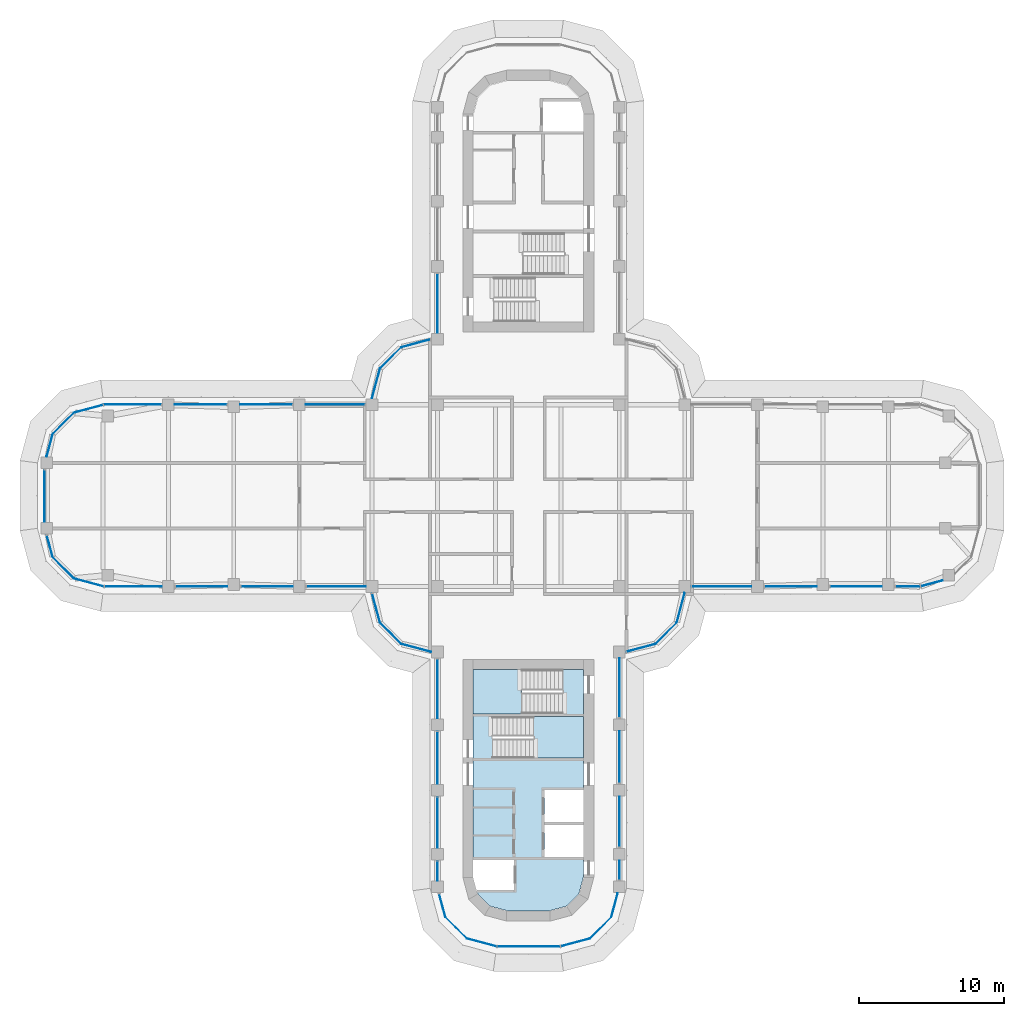
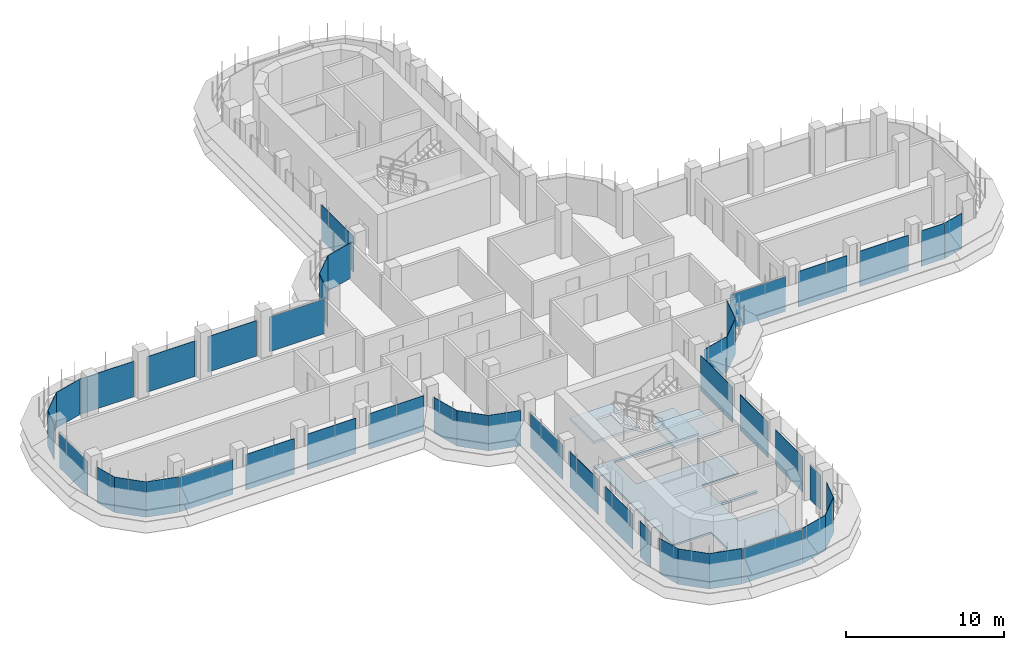
# One storey, part 11 of 19: 45 plates, 3 slabs, 32 elements without a shape of their own.
"""IFC4 building model written with IfcOpenShell, lengths in metres."""

from ifc_helpers import new_model, si_unit, direction, frame, origin, place, context, subcontext, project, spatial, polyline, outline, extrude, source, transform, mapped, material, layer, layer_set, type_object, element, aggregate, save


model = new_model("IFC4")

# Units and contexts
model_context = context("Model", 3, precision=1e-05, world=origin(), true_north=direction((0.0, 1.0)))
body_context = subcontext(model_context, "Body", "Model", "MODEL_VIEW")
ifc_project = project(units=[si_unit("LENGTHUNIT", "METRE"), si_unit("AREAUNIT", "SQUARE_METRE"), si_unit("VOLUMEUNIT", "CUBIC_METRE"), si_unit("PLANEANGLEUNIT", "RADIAN"), si_unit("MASSUNIT", "GRAM", prefix="KILO")], contexts=[model_context])

# Site, building, storey
site_placement = place(None, origin())
site = spatial("IfcSite", under=ifc_project, at=site_placement, CompositionType="ELEMENT")
building_placement = place(site_placement, origin())
building = spatial("IfcBuilding", under=site, at=building_placement, Name="Zarbagh Exchange Tower", CompositionType="ELEMENT")
storey_placement = place(building_placement, frame((0.0, 0.0, 175.199951171875)))
storey = spatial("IfcBuildingStorey", under=building, at=storey_placement, Name="L42", CompositionType="ELEMENT", Elevation=175.199951171875)

# Slab
ifc_material_1 = material(Name="Concrete C40/50", Category="concrete")
ifc_layer_1 = layer(ifc_material_1, 0.14990234375)
ifc_layer_set_1 = layer_set([ifc_layer_1], Name="Core floor slab 150 C40/50")
slab_type_1 = type_object("IfcSlabType", Name="Core floor slab 150 C40/50", PredefinedType="FLOOR", material=ifc_layer_set_1)
slab_1_placement = place(storey_placement, frame((0.0, 0.0, -0.14990234375)))
element("IfcSlab", 1, at=slab_1_placement, inside=storey, type_object=slab_type_1, Name="S17 core S", PredefinedType="FLOOR", context=body_context, shape_type="SweptSolid", body=[
    extrude(outline(polyline([(-2.6376953125, -28.220458984375), (-3.470458984375, -27.3876953125), (-3.800048828125, -26.15771484375), (-3.800048828125, -26.15771484375), (-3.547607421875, -27.10009765625), (-1.0, -27.10009765625), (-1.0, -25.050048828125), (-3.800048828125, -25.050048828125), (-3.800048828125, -15.0), (2.35009765625, -15.0), (2.35009765625, -11.949951171875), (3.800048828125, -11.949951171875), (3.800048828125, -15.199951171875), (-2.449951171875, -15.199951171875), (-2.449951171875, -18.050048828125), (3.800048828125, -18.050048828125), (3.800048828125, -20.25), (1.10009765625, -20.25), (1.10009765625, -22.449951171875), (3.800048828125, -22.449951171875), (3.800048828125, -22.64990234375), (1.10009765625, -22.64990234375), (1.10009765625, -24.85009765625), (3.800048828125, -24.85009765625), (3.800048828125, -26.15771484375), (3.470458984375, -27.3876953125), (2.6376953125, -28.220458984375), (1.40771484375, -28.550048828125), (-1.40771484375, -28.550048828125), (-2.6376953125, -28.220458984375)])), origin(), (0.0, 0.0, 1.0), 0.14990234375),
])

# Stair, slab
stair_type = type_object("IfcStairType", Name="Exit stair two-flight half-turn", PredefinedType="HALF_TURN_STAIR", material=ifc_material_1)
stair_1_placement = place(storey_placement, origin())
stair_1 = element("IfcStair", 2, at=stair_1_placement, inside=storey, type_object=stair_type, Name="exit stair ST3", PredefinedType="HALF_TURN_STAIR")
ifc_layer_2 = layer(ifc_material_1, 0.199951171875)
ifc_layer_set_2 = layer_set([ifc_layer_2], Name="Stair landing 200 mm")
slab_type_2 = type_object("IfcSlabType", Name="Stair landing 200 mm", PredefinedType="LANDING", material=ifc_layer_set_2)
slab_2_placement = place(storey_placement, frame((0.0, 0.0, 1.699951171875)))
slab_2 = element("IfcSlab", 3, at=slab_2_placement, type_object=slab_type_2, Name="ST3 landing 1", PredefinedType="LANDING", context=body_context, shape_type="SweptSolid", body=[
    extrude(outline(polyline([(0.35009765625, -18.050048828125), (3.800048828125, -18.050048828125), (3.800048828125, -15.199951171875), (0.35009765625, -15.199951171875), (0.35009765625, -18.050048828125)])), origin(), (0.0, 0.0, 1.0), 0.2001953125),
])
aggregate(stair_1, [slab_2])

stair_2_placement = place(storey_placement, origin())
stair_2 = element("IfcStair", 4, at=stair_2_placement, inside=storey, type_object=stair_type, Name="exit stair ST4", PredefinedType="HALF_TURN_STAIR")
slab_3_placement = place(storey_placement, frame((0.0, 0.0, 1.699951171875)))
slab_3 = element("IfcSlab", 5, at=slab_3_placement, type_object=slab_type_2, Name="ST4 landing 1", PredefinedType="LANDING", context=body_context, shape_type="SweptSolid", body=[
    extrude(outline(polyline([(-0.449951171875, -11.949951171875), (-3.800048828125, -11.949951171875), (-3.800048828125, -15.0), (-0.449951171875, -15.0), (-0.449951171875, -11.949951171875)])), origin(), (0.0, 0.0, 1.0), 0.2001953125),
])
aggregate(stair_2, [slab_3])

# Curtain wall, plate
ifc_material_2 = material(Name="Anodised aluminium frame and glazing", Category="aluminium")
curtain_wall_type = type_object("IfcCurtainWallType", Name="CWB Ribbon glazing, upper zones", PredefinedType="NOTDEFINED", material=ifc_material_2)
curtain_wall_1_placement = place(storey_placement, origin())
curtain_wall_1 = element("IfcCurtainWall", 6, at=curtain_wall_1_placement, inside=storey, type_object=curtain_wall_type, Name="CWB37 curtain wall", PredefinedType="NOTDEFINED")
ifc_material_3 = material(Name="Low-e double glazed unit, 6+12+6 mm")
ifc_layer_3 = layer(ifc_material_3, 0.031982421875)
ifc_layer_set_3 = layer_set([ifc_layer_3], Name="PAB Glazing panel, Low-e double glazed unit, 6+12+6 mm")
plate_type = type_object("IfcPlateType", Name="PAB Glazing panel, Low-e double glazed unit, 6+12+6 mm", PredefinedType="CURTAIN_PANEL", material=ifc_layer_set_3)
shared_shape_1 = source(origin(), body_context, "Body", "SweptSolid", [
    extrude(outline(polyline([(0.0, -0.01611328125), (1.5458984375, -0.01611328125), (1.5458984375, 0.01611328125), (0.0, 0.01611328125), (0.0, -0.01611328125)])), origin(), (0.0, 0.0, 1.0), 2.75),
])
placement = place(storey_placement, origin())
plate_1 = element("IfcPlate", 7, at=placement, type_object=plate_type, Name="CWB37 glazing panel 1.1", PredefinedType="CURTAIN_PANEL", context=body_context, shape_type="MappedRepresentation", body=[
    mapped(shared_shape_1, transform((-33.098876953125, -2.748046875, 0.0), x_axis=(0.258824779902, -0.965924289636, 0.0), y_axis=(0.965924289636, 0.258824779902, 0.0), z_axis=(0.0, 0.0, 1.0))),
])
aggregate(curtain_wall_1, [plate_1])

curtain_wall_2_placement = place(storey_placement, origin())
curtain_wall_2 = element("IfcCurtainWall", 8, at=curtain_wall_2_placement, inside=storey, type_object=curtain_wall_type, Name="CWB50 curtain wall", PredefinedType="NOTDEFINED")
shared_shape_2 = source(origin(), body_context, "Body", "SweptSolid", [
    extrude(outline(polyline([(0.0, -0.01611328125), (2.061279296875, -0.01611328125), (2.061279296875, 0.01611328125), (0.0, 0.01611328125), (0.0, -0.01611328125)])), origin(), (0.0, 0.0, 1.0), 2.75),
])
plate_2 = element("IfcPlate", 9, at=placement, type_object=plate_type, Name="CWB50 glazing panel 1.1", PredefinedType="CURTAIN_PANEL", context=body_context, shape_type="MappedRepresentation", body=[
    mapped(shared_shape_2, transform((4.2412109375, -30.44873046875, 0.0), x_axis=(0.707106781187, 0.707106781187, 0.0), y_axis=(-0.707106781187, 0.707106781187, 0.0), z_axis=(0.0, 0.0, 1.0))),
])
aggregate(curtain_wall_2, [plate_2])

curtain_wall_3_placement = place(storey_placement, origin())
curtain_wall_3 = element("IfcCurtainWall", 10, at=curtain_wall_3_placement, inside=storey, type_object=curtain_wall_type, Name="CWB06 curtain wall", PredefinedType="NOTDEFINED")
plate_3 = element("IfcPlate", 11, at=placement, type_object=plate_type, Name="CWB06 glazing panel 1.1", PredefinedType="CURTAIN_PANEL", context=body_context, shape_type="MappedRepresentation", body=[
    mapped(shared_shape_2, transform((8.7412109375, -10.19873046875, 0.0), x_axis=(0.707106781187, 0.707106781187, 0.0), y_axis=(-0.707106781187, 0.707106781187, 0.0), z_axis=(0.0, 0.0, 1.0))),
])
aggregate(curtain_wall_3, [plate_3])

curtain_wall_4_placement = place(storey_placement, origin())
curtain_wall_4 = element("IfcCurtainWall", 12, at=curtain_wall_4_placement, inside=storey, type_object=curtain_wall_type, Name="CWB30 curtain wall", PredefinedType="NOTDEFINED")
plate_4 = element("IfcPlate", 13, at=placement, type_object=plate_type, Name="CWB30 glazing panel 1.1", PredefinedType="CURTAIN_PANEL", context=body_context, shape_type="MappedRepresentation", body=[
    mapped(shared_shape_2, transform((-8.7412109375, 10.19873046875, 0.0), x_axis=(-0.707106781187, -0.707106781187, 0.0), y_axis=(0.707106781187, -0.707106781187, 0.0), z_axis=(0.0, 0.0, 1.0))),
])
aggregate(curtain_wall_4, [plate_4])

curtain_wall_5_placement = place(storey_placement, origin())
curtain_wall_5 = element("IfcCurtainWall", 14, at=curtain_wall_5_placement, inside=storey, type_object=curtain_wall_type, Name="CWB34 curtain wall", PredefinedType="NOTDEFINED")
plate_5 = element("IfcPlate", 15, at=placement, type_object=plate_type, Name="CWB34 glazing panel 1.1", PredefinedType="CURTAIN_PANEL", context=body_context, shape_type="MappedRepresentation", body=[
    mapped(shared_shape_2, transform((-31.2412109375, 5.69873046875, 0.0), x_axis=(-0.707106781187, -0.707106781187, 0.0), y_axis=(0.707106781187, -0.707106781187, 0.0), z_axis=(0.0, 0.0, 1.0))),
])
aggregate(curtain_wall_5, [plate_5])

curtain_wall_6_placement = place(storey_placement, origin())
curtain_wall_6 = element("IfcCurtainWall", 16, at=curtain_wall_6_placement, inside=storey, type_object=curtain_wall_type, Name="CWB38 curtain wall", PredefinedType="NOTDEFINED")
plate_6 = element("IfcPlate", 17, at=placement, type_object=plate_type, Name="CWB38 glazing panel 1.1", PredefinedType="CURTAIN_PANEL", context=body_context, shape_type="MappedRepresentation", body=[
    mapped(shared_shape_2, transform((-32.69873046875, -4.2412109375, 0.0), x_axis=(0.707106781187, -0.707106781187, 0.0), y_axis=(0.707106781187, 0.707106781187, 0.0), z_axis=(0.0, 0.0, 1.0))),
])
aggregate(curtain_wall_6, [plate_6])

curtain_wall_7_placement = place(storey_placement, origin())
curtain_wall_7 = element("IfcCurtainWall", 18, at=curtain_wall_7_placement, inside=storey, type_object=curtain_wall_type, Name="CWB42 curtain wall", PredefinedType="NOTDEFINED")
plate_7 = element("IfcPlate", 19, at=placement, type_object=plate_type, Name="CWB42 glazing panel 1.1", PredefinedType="CURTAIN_PANEL", context=body_context, shape_type="MappedRepresentation", body=[
    mapped(shared_shape_2, transform((-10.19873046875, -8.7412109375, 0.0), x_axis=(0.707106781187, -0.707106781187, 0.0), y_axis=(0.707106781187, 0.707106781187, 0.0), z_axis=(0.0, 0.0, 1.0))),
])
aggregate(curtain_wall_7, [plate_7])

curtain_wall_8_placement = place(storey_placement, origin())
curtain_wall_8 = element("IfcCurtainWall", 20, at=curtain_wall_8_placement, inside=storey, type_object=curtain_wall_type, Name="CWB55 curtain wall", PredefinedType="NOTDEFINED")
plate_8 = element("IfcPlate", 21, at=placement, type_object=plate_type, Name="CWB55 glazing panel 1.1", PredefinedType="CURTAIN_PANEL", context=body_context, shape_type="MappedRepresentation", body=[
    mapped(shared_shape_2, transform((-5.69873046875, -28.9912109375, 0.0), x_axis=(0.707106781187, -0.707106781187, 0.0), y_axis=(0.707106781187, 0.707106781187, 0.0), z_axis=(0.0, 0.0, 1.0))),
])
aggregate(curtain_wall_8, [plate_8])

curtain_wall_9_placement = place(storey_placement, origin())
curtain_wall_9 = element("IfcCurtainWall", 22, at=curtain_wall_9_placement, inside=storey, type_object=curtain_wall_type, Name="CWB39 curtain wall", PredefinedType="NOTDEFINED")
shared_shape_3 = source(origin(), body_context, "Body", "SweptSolid", [
    extrude(outline(polyline([(0.0, -0.01611328125), (2.129638671875, -0.01611328125), (2.129638671875, 0.01611328125), (0.0, 0.01611328125), (0.0, -0.01611328125)])), origin(), (0.0, 0.0, 1.0), 2.75),
])
plate_9 = element("IfcPlate", 23, at=placement, type_object=plate_type, Name="CWB39 glazing panel 1.1", PredefinedType="CURTAIN_PANEL", context=body_context, shape_type="MappedRepresentation", body=[
    mapped(shared_shape_3, transform((-31.2412109375, -5.69873046875, 0.0), x_axis=(0.965924289636, -0.258824779902, 0.0), y_axis=(0.258824779902, 0.965924289636, 0.0), z_axis=(0.0, 0.0, 1.0))),
])
aggregate(curtain_wall_9, [plate_9])

curtain_wall_10_placement = place(storey_placement, origin())
curtain_wall_10 = element("IfcCurtainWall", 24, at=curtain_wall_10_placement, inside=storey, type_object=curtain_wall_type, Name="CWB56 curtain wall", PredefinedType="NOTDEFINED")
plate_10 = element("IfcPlate", 25, at=placement, type_object=plate_type, Name="CWB56 glazing panel 1.1", PredefinedType="CURTAIN_PANEL", context=body_context, shape_type="MappedRepresentation", body=[
    mapped(shared_shape_3, transform((-4.2412109375, -30.44873046875, 0.0), x_axis=(0.965924289636, -0.258824779902, 0.0), y_axis=(0.258824779902, 0.965924289636, 0.0), z_axis=(0.0, 0.0, 1.0))),
])
aggregate(curtain_wall_10, [plate_10])

curtain_wall_11_placement = place(storey_placement, origin())
curtain_wall_11 = element("IfcCurtainWall", 26, at=curtain_wall_11_placement, inside=storey, type_object=curtain_wall_type, Name="CWB53 curtain wall", PredefinedType="NOTDEFINED")
shared_shape_4 = source(origin(), body_context, "Body", "SweptSolid", [
    extrude(outline(polyline([(0.0, -0.01611328125), (1.31005859375, -0.01611328125), (1.31005859375, 0.01611328125), (0.0, 0.01611328125), (0.0, -0.01611328125)])), origin(), (0.0, 0.0, 1.0), 2.75),
])
plate_11 = element("IfcPlate", 27, at=placement, type_object=plate_type, Name="CWB53 glazing panel 4.1", PredefinedType="CURTAIN_PANEL", context=body_context, shape_type="MappedRepresentation", body=[
    mapped(shared_shape_4, transform((-6.25, -25.150146484375, 0.0), x_axis=(0.0, -1.0, 0.0), y_axis=(1.0, 0.0, 0.0), z_axis=(0.0, 0.0, 1.0))),
])

curtain_wall_12_placement = place(storey_placement, origin())
curtain_wall_12 = element("IfcCurtainWall", 28, at=curtain_wall_12_placement, inside=storey, type_object=curtain_wall_type, Name="CWB52 curtain wall", PredefinedType="NOTDEFINED")
shared_shape_5 = source(origin(), body_context, "Body", "SweptSolid", [
    extrude(outline(polyline([(0.0, -0.01611328125), (3.4599609375, -0.01611328125), (3.4599609375, 0.01611328125), (0.0, 0.01611328125), (0.0, -0.01611328125)])), origin(), (0.0, 0.0, 1.0), 2.75),
])
plate_12 = element("IfcPlate", 29, at=placement, type_object=plate_type, Name="CWB52 glazing panel 2.1", PredefinedType="CURTAIN_PANEL", context=body_context, shape_type="MappedRepresentation", body=[
    mapped(shared_shape_5, transform((6.25, -24.14990234375, 0.0), x_axis=(0.0, 1.0, 0.0), y_axis=(-1.0, 0.0, 0.0), z_axis=(0.0, 0.0, 1.0))),
])

# Plate
plate_13 = element("IfcPlate", 30, at=placement, type_object=plate_type, Name="CWB53 glazing panel 3.1", PredefinedType="CURTAIN_PANEL", context=body_context, shape_type="MappedRepresentation", body=[
    mapped(shared_shape_5, transform((-6.25, -20.75, 0.0), x_axis=(0.0, -1.0, 0.0), y_axis=(1.0, 0.0, 0.0), z_axis=(0.0, 0.0, 1.0))),
])

shared_shape_6 = source(origin(), body_context, "Body", "SweptSolid", [
    extrude(outline(polyline([(0.0, -0.01611328125), (3.56005859375, -0.01611328125), (3.56005859375, 0.01611328125), (0.0, 0.01611328125), (0.0, -0.01611328125)])), origin(), (0.0, 0.0, 1.0), 2.75),
])
plate_14 = element("IfcPlate", 31, at=placement, type_object=plate_type, Name="CWB52 glazing panel 3.1", PredefinedType="CURTAIN_PANEL", context=body_context, shape_type="MappedRepresentation", body=[
    mapped(shared_shape_6, transform((6.25, -19.75, 0.0), x_axis=(0.0, 1.0, 0.0), y_axis=(-1.0, 0.0, 0.0), z_axis=(0.0, 0.0, 1.0))),
])

# Curtain wall, plates
curtain_wall_13_placement = place(storey_placement, origin())
curtain_wall_13 = element("IfcCurtainWall", 32, at=curtain_wall_13_placement, inside=storey, type_object=curtain_wall_type, Name="CWB08 curtain wall", PredefinedType="NOTDEFINED")
plate_15 = element("IfcPlate", 33, at=placement, type_object=plate_type, Name="CWB08 glazing panel 2.1", PredefinedType="CURTAIN_PANEL", context=body_context, shape_type="MappedRepresentation", body=[
    mapped(shared_shape_6, transform((16.25, -6.25, 0.0), x_axis=(1.0, 0.0, 0.0), y_axis=(0.0, 1.0, 0.0), z_axis=(0.0, 0.0, 1.0))),
])
plate_16 = element("IfcPlate", 34, at=placement, type_object=plate_type, Name="CWB08 glazing panel 3.1", PredefinedType="CURTAIN_PANEL", context=body_context, shape_type="MappedRepresentation", body=[
    mapped(shared_shape_6, transform((20.75, -6.25, 0.0), x_axis=(1.0, 0.0, 0.0), y_axis=(0.0, 1.0, 0.0), z_axis=(0.0, 0.0, 1.0))),
])

curtain_wall_14_placement = place(storey_placement, origin())
curtain_wall_14 = element("IfcCurtainWall", 35, at=curtain_wall_14_placement, inside=storey, type_object=curtain_wall_type, Name="CWB32 curtain wall", PredefinedType="NOTDEFINED")
plate_17 = element("IfcPlate", 36, at=placement, type_object=plate_type, Name="CWB32 glazing panel 2.1", PredefinedType="CURTAIN_PANEL", context=body_context, shape_type="MappedRepresentation", body=[
    mapped(shared_shape_6, transform((-16.25, 6.25, 0.0), x_axis=(-1.0, 0.0, 0.0), y_axis=(0.0, -1.0, 0.0), z_axis=(0.0, 0.0, 1.0))),
])
plate_18 = element("IfcPlate", 37, at=placement, type_object=plate_type, Name="CWB32 glazing panel 3.1", PredefinedType="CURTAIN_PANEL", context=body_context, shape_type="MappedRepresentation", body=[
    mapped(shared_shape_6, transform((-20.75, 6.25, 0.0), x_axis=(-1.0, 0.0, 0.0), y_axis=(0.0, -1.0, 0.0), z_axis=(0.0, 0.0, 1.0))),
])

curtain_wall_15_placement = place(storey_placement, origin())
curtain_wall_15 = element("IfcCurtainWall", 38, at=curtain_wall_15_placement, inside=storey, type_object=curtain_wall_type, Name="CWB40 curtain wall", PredefinedType="NOTDEFINED")
plate_19 = element("IfcPlate", 39, at=placement, type_object=plate_type, Name="CWB40 glazing panel 2.1", PredefinedType="CURTAIN_PANEL", context=body_context, shape_type="MappedRepresentation", body=[
    mapped(shared_shape_6, transform((-24.25, -6.25, 0.0), x_axis=(1.0, 0.0, 0.0), y_axis=(0.0, 1.0, 0.0), z_axis=(0.0, 0.0, 1.0))),
])
plate_20 = element("IfcPlate", 40, at=placement, type_object=plate_type, Name="CWB40 glazing panel 3.1", PredefinedType="CURTAIN_PANEL", context=body_context, shape_type="MappedRepresentation", body=[
    mapped(shared_shape_6, transform((-19.75, -6.25, 0.0), x_axis=(1.0, 0.0, 0.0), y_axis=(0.0, 1.0, 0.0), z_axis=(0.0, 0.0, 1.0))),
])

# Plate
plate_21 = element("IfcPlate", 41, at=placement, type_object=plate_type, Name="CWB53 glazing panel 2.1", PredefinedType="CURTAIN_PANEL", context=body_context, shape_type="MappedRepresentation", body=[
    mapped(shared_shape_6, transform((-6.25, -16.25, 0.0), x_axis=(0.0, -1.0, 0.0), y_axis=(1.0, 0.0, 0.0), z_axis=(0.0, 0.0, 1.0))),
])

shared_shape_7 = source(origin(), body_context, "Body", "SweptSolid", [
    extrude(outline(polyline([(0.0, -0.01611328125), (4.06005859375, -0.01611328125), (4.06005859375, 0.01611328125), (0.0, 0.01611328125), (0.0, -0.01611328125)])), origin(), (0.0, 0.0, 1.0), 2.75),
])
plate_22 = element("IfcPlate", 42, at=placement, type_object=plate_type, Name="CWB52 glazing panel 4.1", PredefinedType="CURTAIN_PANEL", context=body_context, shape_type="MappedRepresentation", body=[
    mapped(shared_shape_7, transform((6.25, -15.25, 0.0), x_axis=(0.0, 1.0, 0.0), y_axis=(-1.0, 0.0, 0.0), z_axis=(0.0, 0.0, 1.0))),
])

# Curtain wall, plate
curtain_wall_16_placement = place(storey_placement, origin())
curtain_wall_16 = element("IfcCurtainWall", 43, at=curtain_wall_16_placement, inside=storey, type_object=curtain_wall_type, Name="CWB28 curtain wall", PredefinedType="NOTDEFINED")
plate_23 = element("IfcPlate", 44, at=placement, type_object=plate_type, Name="CWB28 glazing panel 4.1", PredefinedType="CURTAIN_PANEL", context=body_context, shape_type="MappedRepresentation", body=[
    mapped(shared_shape_7, transform((-6.25, 15.25, 0.0), x_axis=(0.0, -1.0, 0.0), y_axis=(1.0, 0.0, 0.0), z_axis=(0.0, 0.0, 1.0))),
])
aggregate(curtain_wall_16, [plate_23])

# Plate
plate_24 = element("IfcPlate", 45, at=placement, type_object=plate_type, Name="CWB40 glazing panel 4.1", PredefinedType="CURTAIN_PANEL", context=body_context, shape_type="MappedRepresentation", body=[
    mapped(shared_shape_7, transform((-15.25, -6.25, 0.0), x_axis=(1.0, 0.0, 0.0), y_axis=(0.0, 1.0, 0.0), z_axis=(0.0, 0.0, 1.0))),
])

# Curtain wall, plate
curtain_wall_17_placement = place(storey_placement, origin())
curtain_wall_17 = element("IfcCurtainWall", 46, at=curtain_wall_17_placement, inside=storey, type_object=curtain_wall_type, Name="CWB05 curtain wall", PredefinedType="NOTDEFINED")
shared_shape_8 = source(origin(), body_context, "Body", "SweptSolid", [
    extrude(outline(polyline([(0.0, -0.01611328125), (2.063720703125, -0.01611328125), (2.063720703125, 0.01611328125), (0.0, 0.01611328125), (0.0, -0.01611328125)])), origin(), (0.0, 0.0, 1.0), 2.75),
])
plate_25 = element("IfcPlate", 47, at=placement, type_object=plate_type, Name="CWB05 glazing panel 1.1", PredefinedType="CURTAIN_PANEL", context=body_context, shape_type="MappedRepresentation", body=[
    mapped(shared_shape_8, transform((6.748046875, -10.73291015625, 0.0), x_axis=(0.965924289636, 0.258824779902, 0.0), y_axis=(-0.258824779902, 0.965924289636, 0.0), z_axis=(0.0, 0.0, 1.0))),
])
aggregate(curtain_wall_17, [plate_25])

curtain_wall_18_placement = place(storey_placement, origin())
curtain_wall_18 = element("IfcCurtainWall", 48, at=curtain_wall_18_placement, inside=storey, type_object=curtain_wall_type, Name="CWB29 curtain wall", PredefinedType="NOTDEFINED")
plate_26 = element("IfcPlate", 49, at=placement, type_object=plate_type, Name="CWB29 glazing panel 1.1", PredefinedType="CURTAIN_PANEL", context=body_context, shape_type="MappedRepresentation", body=[
    mapped(shared_shape_8, transform((-6.748046875, 10.73291015625, 0.0), x_axis=(-0.965924289636, -0.258824779902, 0.0), y_axis=(0.258824779902, -0.965924289636, 0.0), z_axis=(0.0, 0.0, 1.0))),
])
aggregate(curtain_wall_18, [plate_26])

curtain_wall_19_placement = place(storey_placement, origin())
curtain_wall_19 = element("IfcCurtainWall", 50, at=curtain_wall_19_placement, inside=storey, type_object=curtain_wall_type, Name="CWB41 curtain wall", PredefinedType="NOTDEFINED")
plate_27 = element("IfcPlate", 51, at=placement, type_object=plate_type, Name="CWB41 glazing panel 1.1", PredefinedType="CURTAIN_PANEL", context=body_context, shape_type="MappedRepresentation", body=[
    mapped(shared_shape_8, transform((-10.73291015625, -6.748046875, 0.0), x_axis=(0.258824779902, -0.965924289636, 0.0), y_axis=(0.965924289636, 0.258824779902, 0.0), z_axis=(0.0, 0.0, 1.0))),
])
aggregate(curtain_wall_19, [plate_27])

curtain_wall_20_placement = place(storey_placement, origin())
curtain_wall_20 = element("IfcCurtainWall", 52, at=curtain_wall_20_placement, inside=storey, type_object=curtain_wall_type, Name="CWB07 curtain wall", PredefinedType="NOTDEFINED")
shared_shape_9 = source(origin(), body_context, "Body", "SweptSolid", [
    extrude(outline(polyline([(0.0, -0.01611328125), (2.12353515625, -0.01611328125), (2.12353515625, 0.01611328125), (0.0, 0.01611328125), (0.0, -0.01611328125)])), origin(), (0.0, 0.0, 1.0), 2.75),
])
plate_28 = element("IfcPlate", 53, at=placement, type_object=plate_type, Name="CWB07 glazing panel 1.1", PredefinedType="CURTAIN_PANEL", context=body_context, shape_type="MappedRepresentation", body=[
    mapped(shared_shape_9, transform((10.19873046875, -8.7412109375, 0.0), x_axis=(0.258824779902, 0.965924289636, 0.0), y_axis=(-0.965924289636, 0.258824779902, 0.0), z_axis=(0.0, 0.0, 1.0))),
])
aggregate(curtain_wall_20, [plate_28])

curtain_wall_21_placement = place(storey_placement, origin())
curtain_wall_21 = element("IfcCurtainWall", 54, at=curtain_wall_21_placement, inside=storey, type_object=curtain_wall_type, Name="CWB31 curtain wall", PredefinedType="NOTDEFINED")
plate_29 = element("IfcPlate", 55, at=placement, type_object=plate_type, Name="CWB31 glazing panel 1.1", PredefinedType="CURTAIN_PANEL", context=body_context, shape_type="MappedRepresentation", body=[
    mapped(shared_shape_9, transform((-10.19873046875, 8.7412109375, 0.0), x_axis=(-0.258824779902, -0.965924289636, 0.0), y_axis=(0.965924289636, -0.258824779902, 0.0), z_axis=(0.0, 0.0, 1.0))),
])
aggregate(curtain_wall_21, [plate_29])

curtain_wall_22_placement = place(storey_placement, origin())
curtain_wall_22 = element("IfcCurtainWall", 56, at=curtain_wall_22_placement, inside=storey, type_object=curtain_wall_type, Name="CWB43 curtain wall", PredefinedType="NOTDEFINED")
plate_30 = element("IfcPlate", 57, at=placement, type_object=plate_type, Name="CWB43 glazing panel 1.1", PredefinedType="CURTAIN_PANEL", context=body_context, shape_type="MappedRepresentation", body=[
    mapped(shared_shape_9, transform((-8.7412109375, -10.19873046875, 0.0), x_axis=(0.965924289636, -0.258824779902, 0.0), y_axis=(0.258824779902, 0.965924289636, 0.0), z_axis=(0.0, 0.0, 1.0))),
])
aggregate(curtain_wall_22, [plate_30])

# Plate
shared_shape_10 = source(origin(), body_context, "Body", "SweptSolid", [
    extrude(outline(polyline([(0.0, -0.01611328125), (4.06005859375, -0.01611328125), (4.06005859375, 0.01611328125), (0.0, 0.01611328125), (0.0, -0.01611328125)])), origin(), (0.0, 0.0, 1.0), 2.68994140625),
])
plate_31 = element("IfcPlate", 58, at=placement, type_object=plate_type, Name="CWB08 glazing panel 1.1", PredefinedType="CURTAIN_PANEL", context=body_context, shape_type="MappedRepresentation", body=[
    mapped(shared_shape_10, transform((11.25, -6.25, 0.0), x_axis=(1.0, 0.0, 0.0), y_axis=(0.0, 1.0, 0.0), z_axis=(0.0, 0.0, 1.0))),
])

plate_32 = element("IfcPlate", 59, at=placement, type_object=plate_type, Name="CWB32 glazing panel 1.1", PredefinedType="CURTAIN_PANEL", context=body_context, shape_type="MappedRepresentation", body=[
    mapped(shared_shape_10, transform((-11.25, 6.25, 0.0), x_axis=(-1.0, 0.0, 0.0), y_axis=(0.0, -1.0, 0.0), z_axis=(0.0, 0.0, 1.0))),
])

plate_33 = element("IfcPlate", 60, at=placement, type_object=plate_type, Name="CWB53 glazing panel 1.1", PredefinedType="CURTAIN_PANEL", context=body_context, shape_type="MappedRepresentation", body=[
    mapped(shared_shape_10, transform((-6.25, -11.25, 0.0), x_axis=(0.0, -1.0, 0.0), y_axis=(1.0, 0.0, 0.0), z_axis=(0.0, 0.0, 1.0))),
])

aggregate(curtain_wall_11, [plate_33, plate_21, plate_13, plate_11])

shared_shape_11 = source(origin(), body_context, "Body", "SweptSolid", [
    extrude(outline(polyline([(0.0, -0.01611328125), (1.68408203125, -0.01611328125), (1.68408203125, 0.01611328125), (0.0, 0.01611328125), (0.0, -0.01611328125)])), origin(), (0.0, 0.0, 1.0), 2.75),
])
plate_34 = element("IfcPlate", 61, at=placement, type_object=plate_type, Name="CWB08 glazing panel 4.1", PredefinedType="CURTAIN_PANEL", context=body_context, shape_type="MappedRepresentation", body=[
    mapped(shared_shape_11, transform((25.25, -6.25, 0.0), x_axis=(1.0, 0.0, 0.0), y_axis=(0.0, 1.0, 0.0), z_axis=(0.0, 0.0, 1.0))),
])

aggregate(curtain_wall_13, [plate_31, plate_15, plate_16, plate_34])

# Curtain wall, plate
curtain_wall_23_placement = place(storey_placement, origin())
curtain_wall_23 = element("IfcCurtainWall", 62, at=curtain_wall_23_placement, inside=storey, type_object=curtain_wall_type, Name="CWB09 curtain wall", PredefinedType="NOTDEFINED")
shared_shape_12 = source(origin(), body_context, "Body", "SweptSolid", [
    extrude(outline(polyline([(0.0, -0.01611328125), (1.52783203125, -0.01611328125), (1.52783203125, 0.01611328125), (0.0, 0.01611328125), (0.0, -0.01611328125)])), origin(), (0.0, 0.0, 1.0), 2.75),
])
plate_35 = element("IfcPlate", 63, at=placement, type_object=plate_type, Name="CWB09 glazing panel 1.1", PredefinedType="CURTAIN_PANEL", context=body_context, shape_type="MappedRepresentation", body=[
    mapped(shared_shape_12, transform((26.9921875, -6.234375, 0.0), x_axis=(0.965924289636, 0.258824779902, 0.0), y_axis=(-0.258824779902, 0.965924289636, 0.0), z_axis=(0.0, 0.0, 1.0))),
])
aggregate(curtain_wall_23, [plate_35])

curtain_wall_24_placement = place(storey_placement, origin())
curtain_wall_24 = element("IfcCurtainWall", 64, at=curtain_wall_24_placement, inside=storey, type_object=curtain_wall_type, Name="CWB57 curtain wall", PredefinedType="NOTDEFINED")
shared_shape_13 = source(origin(), body_context, "Body", "SweptSolid", [
    extrude(outline(polyline([(0.0, -0.01611328125), (4.308349609375, -0.01611328125), (4.308349609375, 0.01611328125), (0.0, 0.01611328125), (0.0, -0.01611328125)])), origin(), (0.0, 0.0, 1.0), 2.68994140625),
])
plate_36 = element("IfcPlate", 65, at=placement, type_object=plate_type, Name="CWB57 glazing panel 1.1", PredefinedType="CURTAIN_PANEL", context=body_context, shape_type="MappedRepresentation", body=[
    mapped(shared_shape_13, transform((-2.124267578125, -31.0, 0.0), x_axis=(1.0, 0.0, 0.0), y_axis=(0.0, 1.0, 0.0), z_axis=(0.0, 0.0, 1.0))),
])
aggregate(curtain_wall_24, [plate_36])

curtain_wall_25_placement = place(storey_placement, origin())
curtain_wall_25 = element("IfcCurtainWall", 66, at=curtain_wall_25_placement, inside=storey, type_object=curtain_wall_type, Name="CWB49 curtain wall", PredefinedType="NOTDEFINED")
shared_shape_14 = source(origin(), body_context, "Body", "SweptSolid", [
    extrude(outline(polyline([(0.0, -0.01611328125), (2.069580078125, -0.01611328125), (2.069580078125, 0.01611328125), (0.0, 0.01611328125), (0.0, -0.01611328125)])), origin(), (0.0, 0.0, 1.0), 2.75),
])
plate_37 = element("IfcPlate", 67, at=placement, type_object=plate_type, Name="CWB49 glazing panel 1.1", PredefinedType="CURTAIN_PANEL", context=body_context, shape_type="MappedRepresentation", body=[
    mapped(shared_shape_14, transform((2.2421875, -30.984375, 0.0), x_axis=(0.965924289636, 0.258824779902, 0.0), y_axis=(-0.258824779902, 0.965924289636, 0.0), z_axis=(0.0, 0.0, 1.0))),
])
aggregate(curtain_wall_25, [plate_37])

curtain_wall_26_placement = place(storey_placement, origin())
curtain_wall_26 = element("IfcCurtainWall", 68, at=curtain_wall_26_placement, inside=storey, type_object=curtain_wall_type, Name="CWB33 curtain wall", PredefinedType="NOTDEFINED")
plate_38 = element("IfcPlate", 69, at=placement, type_object=plate_type, Name="CWB33 glazing panel 1.1", PredefinedType="CURTAIN_PANEL", context=body_context, shape_type="MappedRepresentation", body=[
    mapped(shared_shape_14, transform((-29.2421875, 6.234375, 0.0), x_axis=(-0.965924289636, -0.258824779902, 0.0), y_axis=(0.258824779902, -0.965924289636, 0.0), z_axis=(0.0, 0.0, 1.0))),
])
aggregate(curtain_wall_26, [plate_38])

# Plate
shared_shape_15 = source(origin(), body_context, "Body", "SweptSolid", [
    extrude(outline(polyline([(0.0, -0.01611328125), (3.93408203125, -0.01611328125), (3.93408203125, 0.01611328125), (0.0, 0.01611328125), (0.0, -0.01611328125)])), origin(), (0.0, 0.0, 1.0), 2.75),
])
plate_39 = element("IfcPlate", 70, at=placement, type_object=plate_type, Name="CWB32 glazing panel 4.1", PredefinedType="CURTAIN_PANEL", context=body_context, shape_type="MappedRepresentation", body=[
    mapped(shared_shape_15, transform((-25.25, 6.25, 0.0), x_axis=(-1.0, 0.0, 0.0), y_axis=(0.0, -1.0, 0.0), z_axis=(0.0, 0.0, 1.0))),
])

aggregate(curtain_wall_14, [plate_32, plate_17, plate_18, plate_39])

# Curtain wall, plate
curtain_wall_27_placement = place(storey_placement, origin())
curtain_wall_27 = element("IfcCurtainWall", 71, at=curtain_wall_27_placement, inside=storey, type_object=curtain_wall_type, Name="CWB35 curtain wall", PredefinedType="NOTDEFINED")
shared_shape_16 = source(origin(), body_context, "Body", "SweptSolid", [
    extrude(outline(polyline([(0.0, -0.01611328125), (1.60595703125, -0.01611328125), (1.60595703125, 0.01611328125), (0.0, 0.01611328125), (0.0, -0.01611328125)])), origin(), (0.0, 0.0, 1.0), 2.75),
])
plate_40 = element("IfcPlate", 72, at=placement, type_object=plate_type, Name="CWB35 glazing panel 1.1", PredefinedType="CURTAIN_PANEL", context=body_context, shape_type="MappedRepresentation", body=[
    mapped(shared_shape_16, transform((-32.69873046875, 4.2412109375, 0.0), x_axis=(-0.258824779902, -0.965924289636, 0.0), y_axis=(0.965924289636, -0.258824779902, 0.0), z_axis=(0.0, 0.0, 1.0))),
])
aggregate(curtain_wall_27, [plate_40])

curtain_wall_28_placement = place(storey_placement, origin())
curtain_wall_28 = element("IfcCurtainWall", 73, at=curtain_wall_28_placement, inside=storey, type_object=curtain_wall_type, Name="CWB36 curtain wall", PredefinedType="NOTDEFINED")
shared_shape_17 = source(origin(), body_context, "Body", "SweptSolid", [
    extrude(outline(polyline([(0.0, -0.01611328125), (3.56005859375, -0.01611328125), (3.56005859375, 0.01611328125), (0.0, 0.01611328125), (0.0, -0.01611328125)])), origin(), (0.0, 0.0, 1.0), 2.68994140625),
])
plate_41 = element("IfcPlate", 74, at=placement, type_object=plate_type, Name="CWB36 glazing panel 1.1", PredefinedType="CURTAIN_PANEL", context=body_context, shape_type="MappedRepresentation", body=[
    mapped(shared_shape_17, transform((-33.25, 1.75, 0.0), x_axis=(0.0, -1.0, 0.0), y_axis=(1.0, 0.0, 0.0), z_axis=(0.0, 0.0, 1.0))),
])
aggregate(curtain_wall_28, [plate_41])

# Plate
shared_shape_18 = source(origin(), body_context, "Body", "SweptSolid", [
    extrude(outline(polyline([(0.0, -0.01611328125), (3.93408203125, -0.01611328125), (3.93408203125, 0.01611328125), (0.0, 0.01611328125), (0.0, -0.01611328125)])), origin(), (0.0, 0.0, 1.0), 2.68994140625),
])
plate_42 = element("IfcPlate", 75, at=placement, type_object=plate_type, Name="CWB40 glazing panel 1.1", PredefinedType="CURTAIN_PANEL", context=body_context, shape_type="MappedRepresentation", body=[
    mapped(shared_shape_18, transform((-29.124267578125, -6.25, 0.0), x_axis=(1.0, 0.0, 0.0), y_axis=(0.0, 1.0, 0.0), z_axis=(0.0, 0.0, 1.0))),
])

aggregate(curtain_wall_15, [plate_42, plate_19, plate_20, plate_24])

# Curtain wall, plate
curtain_wall_29_placement = place(storey_placement, origin())
curtain_wall_29 = element("IfcCurtainWall", 76, at=curtain_wall_29_placement, inside=storey, type_object=curtain_wall_type, Name="CWB51 curtain wall", PredefinedType="NOTDEFINED")
shared_shape_19 = source(origin(), body_context, "Body", "SweptSolid", [
    extrude(outline(polyline([(0.0, -0.01611328125), (1.70947265625, -0.01611328125), (1.70947265625, 0.01611328125), (0.0, 0.01611328125), (0.0, -0.01611328125)])), origin(), (0.0, 0.0, 1.0), 2.75),
])
plate_43 = element("IfcPlate", 77, at=placement, type_object=plate_type, Name="CWB51 glazing panel 1.1", PredefinedType="CURTAIN_PANEL", context=body_context, shape_type="MappedRepresentation", body=[
    mapped(shared_shape_19, transform((5.69873046875, -28.9912109375, 0.0), x_axis=(0.258824779902, 0.965924289636, 0.0), y_axis=(-0.965924289636, 0.258824779902, 0.0), z_axis=(0.0, 0.0, 1.0))),
])
aggregate(curtain_wall_29, [plate_43])

# Plate
shared_shape_20 = source(origin(), body_context, "Body", "SweptSolid", [
    extrude(outline(polyline([(0.0, -0.01611328125), (1.31005859375, -0.01611328125), (1.31005859375, 0.01611328125), (0.0, 0.01611328125), (0.0, -0.01611328125)])), origin(), (0.0, 0.0, 1.0), 2.68994140625),
])
plate_44 = element("IfcPlate", 78, at=placement, type_object=plate_type, Name="CWB52 glazing panel 1.1", PredefinedType="CURTAIN_PANEL", context=body_context, shape_type="MappedRepresentation", body=[
    mapped(shared_shape_20, transform((6.25, -26.39990234375, 0.0), x_axis=(0.0, 1.0, 0.0), y_axis=(-1.0, 0.0, 0.0), z_axis=(0.0, 0.0, 1.0))),
])

aggregate(curtain_wall_12, [plate_44, plate_12, plate_14, plate_22])

# Curtain wall, plate
curtain_wall_30_placement = place(storey_placement, origin())
curtain_wall_30 = element("IfcCurtainWall", 79, at=curtain_wall_30_placement, inside=storey, type_object=curtain_wall_type, Name="CWB54 curtain wall", PredefinedType="NOTDEFINED")
shared_shape_21 = source(origin(), body_context, "Body", "SweptSolid", [
    extrude(outline(polyline([(0.0, -0.01611328125), (1.6494140625, -0.01611328125), (1.6494140625, 0.01611328125), (0.0, 0.01611328125), (0.0, -0.01611328125)])), origin(), (0.0, 0.0, 1.0), 2.75),
])
plate_45 = element("IfcPlate", 80, at=placement, type_object=plate_type, Name="CWB54 glazing panel 1.1", PredefinedType="CURTAIN_PANEL", context=body_context, shape_type="MappedRepresentation", body=[
    mapped(shared_shape_21, transform((-6.125732421875, -27.39794921875, 0.0), x_axis=(0.258824779902, -0.965924289636, 0.0), y_axis=(0.965924289636, 0.258824779902, 0.0), z_axis=(0.0, 0.0, 1.0))),
])
aggregate(curtain_wall_30, [plate_45])

save(model, "model.ifc")
